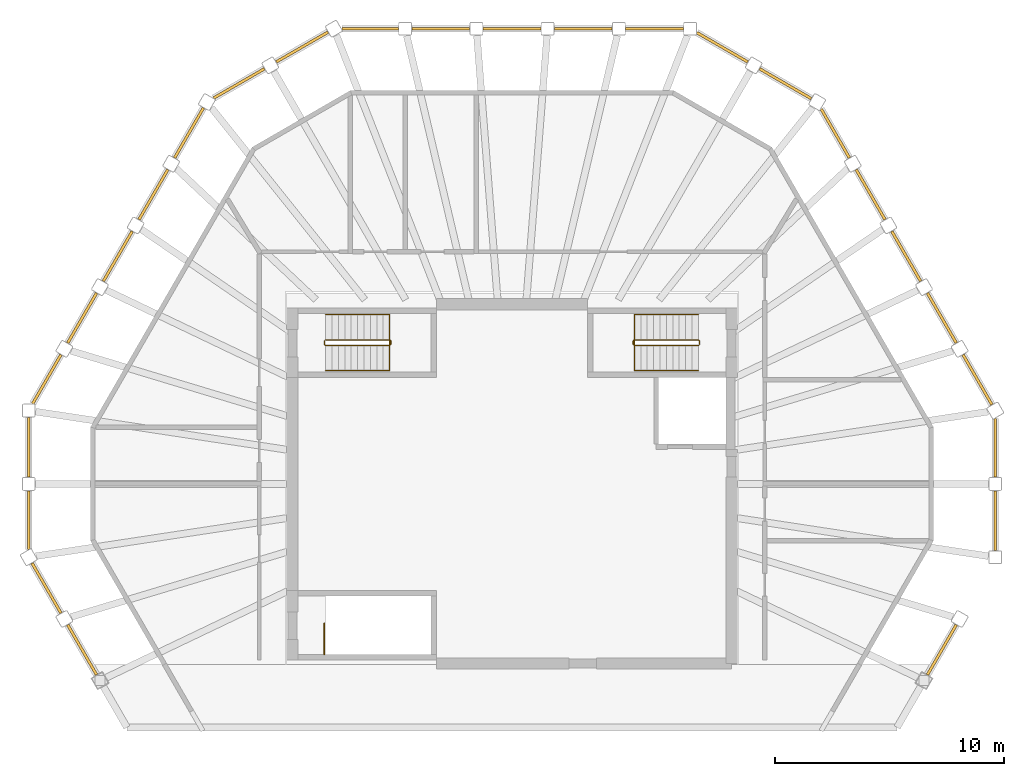
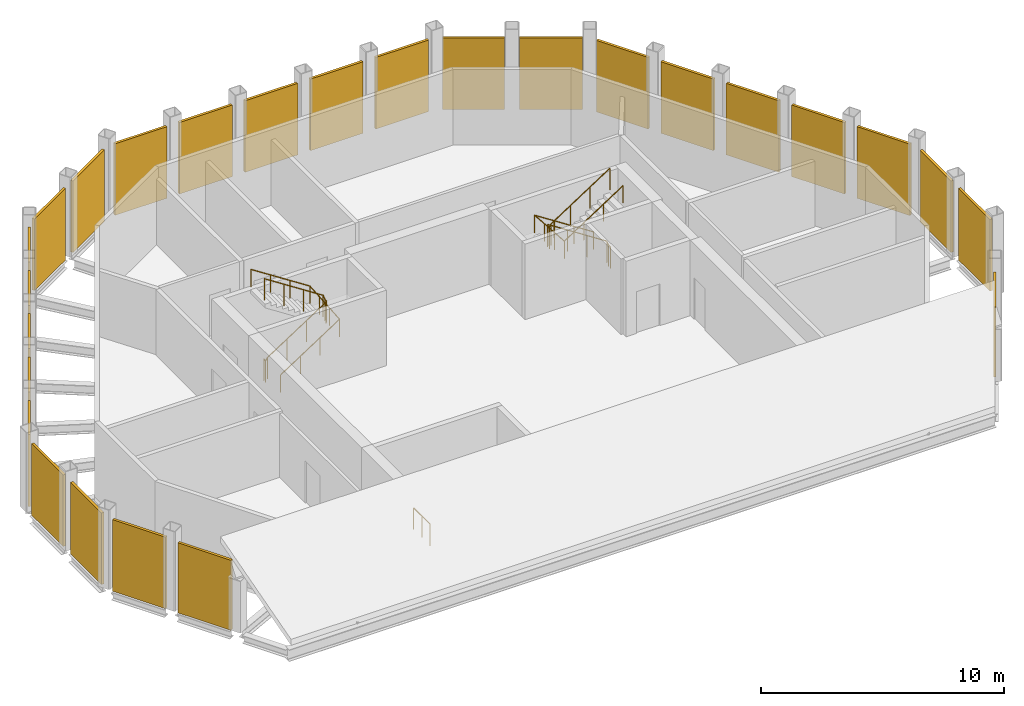
# One storey, part 4 of 4: 26 coverings, 5 railings.
"""IFC4 building model written with IfcOpenShell, lengths in metres."""

import ifcopenshell
import ifcopenshell.guid

model = None  # the IFC model being written
_history = None  # IfcOwnerHistory: only IFC2X3 demands one
_inside = {}  # id of a spatial element -> (the spatial element, [elements in it])
_under = {}  # id of a project, library or spatial element -> (it, [spatial elements below it])
_declared = {}  # id of a project -> (the project, [libraries it declares])
_typed = {}  # id of a type object -> (the type object, [elements of that type])
_made_of = {}  # id of a material, layer set ... -> (it, [elements and type objects made of it])


def new_model(schema):
    """Start an empty IFC model of exactly this schema.

    Asked for "IFC4X3", IfcOpenShell would pick the latest addendum, in which some entities
    have other attributes; the version numbers below select the first issue.
    IFC2X3 requires an IfcOwnerHistory on every rooted entity: one is made here for all.
    """
    global model, _history
    if schema == "IFC4X3":
        model = ifcopenshell.file(schema_version=(4, 3, 0, 0))
    else:
        model = ifcopenshell.file(schema=schema)
    _inside.clear()
    _under.clear()
    _declared.clear()
    _typed.clear()
    _made_of.clear()
    _history = None
    if model.schema == "IFC2X3":
        org = make("IfcOrganization", Name="unknown")
        user = make(
            "IfcPersonAndOrganization",
            ThePerson=make("IfcPerson", FamilyName="unknown"),
            TheOrganization=org,
        )
        app = make(
            "IfcApplication",
            ApplicationDeveloper=org,
            Version="unknown",
            ApplicationFullName="unknown",
            ApplicationIdentifier="unknown",
        )
        _history = make(
            "IfcOwnerHistory",
            OwningUser=user,
            OwningApplication=app,
            ChangeAction="ADDED",
            CreationDate=0,
        )
    return model


def make(cls, **values):
    """One entity of the class cls with the attributes given. An attribute that is None is left unset."""
    return model.create_entity(
        cls, **{name: value for name, value in values.items() if value is not None}
    )


def rooted(cls, **values):
    """An entity with a GlobalId (a new one), such as an element, a storey or a relation."""
    return make(cls, GlobalId=ifcopenshell.guid.new(), OwnerHistory=_history, **values)


def si_unit(unit_type, name, prefix=None):
    """IfcSIUnit, for example si_unit("LENGTHUNIT", "METRE", prefix="MILLI")."""
    return make("IfcSIUnit", UnitType=unit_type, Prefix=prefix, Name=name)


def assignment(units):
    """IfcUnitAssignment: the units of a project."""
    return None if units is None else make("IfcUnitAssignment", Units=units)


def point(xyz):
    """IfcCartesianPoint."""
    return None if xyz is None else make("IfcCartesianPoint", Coordinates=xyz)


def direction(xyz):
    """IfcDirection."""
    return None if xyz is None else make("IfcDirection", DirectionRatios=xyz)


def frame(location, z_axis=None, x_axis=None):
    """IfcAxis2Placement3D, a coordinate frame: its origin and axes. An axis left out is left unset."""
    return make(
        "IfcAxis2Placement3D",
        Location=point(location),
        Axis=direction(z_axis),
        RefDirection=direction(x_axis),
    )


def frame_2d(location, x_axis=None):
    """IfcAxis2Placement2D, a coordinate frame in the plane: its origin and x axis."""
    return make(
        "IfcAxis2Placement2D", Location=point(location), RefDirection=direction(x_axis)
    )


def origin():
    """The frame at (0, 0, 0) with its axes left unset."""
    return frame((0.0, 0.0, 0.0))


def origin_2d():
    """The frame at (0, 0) in the plane with its x axis left unset."""
    return frame_2d((0.0, 0.0))


def place(relative_to, where):
    """IfcLocalPlacement: puts the frame where relative to a parent placement (None: the world)."""
    return make(
        "IfcLocalPlacement", PlacementRelTo=relative_to, RelativePlacement=where
    )


def context(
    kind, dimensions, precision=None, world=None, true_north=None, identifier=None
):
    """IfcGeometricRepresentationContext, for example the 3D "Model" context."""
    return make(
        "IfcGeometricRepresentationContext",
        ContextIdentifier=identifier,
        ContextType=kind,
        CoordinateSpaceDimension=dimensions,
        Precision=precision,
        WorldCoordinateSystem=world,
        TrueNorth=true_north,
    )


def subcontext(parent, identifier, kind, view, scale=None):
    """IfcGeometricRepresentationSubContext, for example "Body" below "Model"."""
    return make(
        "IfcGeometricRepresentationSubContext",
        ContextIdentifier=identifier,
        ContextType=kind,
        ParentContext=parent,
        TargetScale=scale,
        TargetView=view,
    )


def project(units=None, contexts=None):
    """IfcProject with its units and contexts."""
    return rooted(
        "IfcProject",
        Name="project",
        RepresentationContexts=contexts,
        UnitsInContext=assignment(units),
    )


def spatial(cls, under=None, at=None, **own):
    """A site, building, storey or space (cls), placed at a placement, below another one or the project."""
    s = rooted(cls, ObjectPlacement=at, **own)
    if under is not None:
        _under.setdefault(under.id(), (under, []))[1].append(s)
    return s


def polyline(points):
    """IfcPolyline through the points."""
    return make("IfcPolyline", Points=[point(p) for p in points])


def profile(cls, at=None, kind="AREA", **sizes):
    """A parametric profile (cls). Its sizes go by their IFC names, for example OverallWidth=200.0."""
    return make(cls, ProfileType=kind, Position=at, **sizes)


def circle(**sizes):
    """IfcCircleProfileDef."""
    return profile("IfcCircleProfileDef", **sizes)


def outline(outer, holes=None, kind="AREA"):
    """IfcArbitraryClosedProfileDef: a profile drawn as a closed curve; with holes, ...WithVoids."""
    if holes is None:
        return make("IfcArbitraryClosedProfileDef", ProfileType=kind, OuterCurve=outer)
    return make(
        "IfcArbitraryProfileDefWithVoids",
        ProfileType=kind,
        OuterCurve=outer,
        InnerCurves=holes,
    )


def extrude(swept, where, along, depth):
    """IfcExtrudedAreaSolid: the profile swept, set in the frame where, extruded along a direction by depth."""
    return make(
        "IfcExtrudedAreaSolid",
        SweptArea=swept,
        Position=where,
        ExtrudedDirection=direction(along),
        Depth=depth,
    )


def shape(context_of_items, identifier, shape_type, items):
    """IfcShapeRepresentation: the items that make up one representation, for example the "Body"."""
    return make(
        "IfcShapeRepresentation",
        ContextOfItems=context_of_items,
        RepresentationIdentifier=identifier,
        RepresentationType=shape_type,
        Items=items,
    )


def material(Name=None, Category=None):
    """IfcMaterial."""
    return make("IfcMaterial", Name=Name, Category=Category)


def layer(
    of_material, thickness, ventilated=None, Name=None, Category=None, Priority=None
):
    """IfcMaterialLayer: one layer of a wall or slab, of a material (None: an air gap)."""
    return make(
        "IfcMaterialLayer",
        Material=of_material,
        LayerThickness=thickness,
        IsVentilated=ventilated,
        Name=Name,
        Category=Category,
        Priority=Priority,
    )


def layer_set(layers, Name=None):
    """IfcMaterialLayerSet."""
    return make("IfcMaterialLayerSet", MaterialLayers=layers, LayerSetName=Name)


def made_of(thing, what):
    """Note that an element or type object is made of a material, layer set ...; save() writes the relation."""
    if what is not None:
        _made_of.setdefault(what.id(), (what, []))[1].append(thing)
    return thing


def type_object(cls, material=None, **own):
    """A type object (cls), such as IfcWallType, which elements share."""
    return made_of(rooted(cls, **own), material)


def element(
    cls,
    number,
    at=None,
    inside=None,
    cuts=None,
    type_object=None,
    material=None,
    context=None,
    identifier="Body",
    shape_type=None,
    held_by="IfcProductDefinitionShape",
    body=None,
    shapes=None,
    **own,
):
    """One element of the class cls, such as IfcWall. Its Tag is "e" and its number.

    at: its placement. inside: the storey or other place that contains it. cuts: it is an
    opening in that element (IfcRelVoidsElement). A single representation is given by context,
    identifier, shape_type and body (its items); several are given by shapes. held_by: the class
    of the entity that holds the representations. save() writes the other relations.
    """
    e = rooted(cls, Tag="e%d" % number, ObjectPlacement=at, **own)
    if body is not None:
        shapes = [shape(context, identifier, shape_type, body)]
    if shapes is not None:
        e.Representation = make(held_by, Representations=shapes)
    if inside is not None:
        _inside.setdefault(inside.id(), (inside, []))[1].append(e)
    if cuts is not None:
        rooted(
            "IfcRelVoidsElement", RelatingBuildingElement=cuts, RelatedOpeningElement=e
        )
    if type_object is not None:
        _typed.setdefault(type_object.id(), (type_object, []))[1].append(e)
    return made_of(e, material)


def aggregate(whole, parts):
    """IfcRelAggregates: a whole, such as a stair, and the parts it consists of."""
    return rooted("IfcRelAggregates", RelatingObject=whole, RelatedObjects=parts)


def save(model, path):
    """Write the relations noted so far, then the file.

    IfcRelAggregates (storeys below a building ...), IfcRelContainedInSpatialStructure (elements
    in a storey), IfcRelDefinesByType, IfcRelAssociatesMaterial and IfcRelDeclares: one each for
    every whole, place, type object, material and project.
    """
    for whole, parts in _under.values():
        aggregate(whole, parts)
    for where, things in _inside.values():
        rooted(
            "IfcRelContainedInSpatialStructure",
            RelatedElements=things,
            RelatingStructure=where,
        )
    for kind, things in _typed.values():
        rooted("IfcRelDefinesByType", RelatedObjects=things, RelatingType=kind)
    for what, things in _made_of.values():
        rooted("IfcRelAssociatesMaterial", RelatedObjects=things, RelatingMaterial=what)
    for by, libraries in _declared.values():
        rooted("IfcRelDeclares", RelatingContext=by, RelatedDefinitions=libraries)
    model.write(path)


model = new_model("IFC4")

# Units and contexts
model_context = context("Model", 3, precision=1e-05, world=origin(), true_north=direction((0.0, 1.0)))
body_context = subcontext(model_context, "Body", "Model", "MODEL_VIEW")
ifc_project = project(units=[si_unit("LENGTHUNIT", "METRE"), si_unit("AREAUNIT", "SQUARE_METRE"), si_unit("VOLUMEUNIT", "CUBIC_METRE"), si_unit("PLANEANGLEUNIT", "RADIAN"), si_unit("MASSUNIT", "GRAM", prefix="KILO")], contexts=[model_context])

# Site, building, storey
site_placement = place(None, origin())
site = spatial("IfcSite", under=ifc_project, at=site_placement, CompositionType="ELEMENT")
building_placement = place(site_placement, origin())
building = spatial("IfcBuilding", under=site, at=building_placement, Name="Frailejon Research Tower", CompositionType="ELEMENT")
storey_placement = place(building_placement, frame((0.0, 0.0, 356.60009765625)))
storey = spatial("IfcBuildingStorey", under=building, at=storey_placement, Name="L80", CompositionType="ELEMENT", Elevation=356.60009765625)

# Coverings
ifc_material_1 = material(Name="Anodised aluminium louvres", Category="aluminium")
ifc_layer = layer(ifc_material_1, 0.1201171875)
ifc_layer_set = layer_set([ifc_layer], Name="Crown louvre screen 120")
covering_type = type_object("IfcCoveringType", Name="Crown louvre screen 120", PredefinedType="CLADDING", material=ifc_layer_set)
covering_1_placement = place(storey_placement, frame((21.12744140625, -0.300048828125, -0.2001953125), z_axis=(0.0, -1.0, 0.0), x_axis=(1.0, 0.0, 0.0)))
element("IfcCovering", 1, at=covering_1_placement, inside=storey, type_object=covering_type, Name="Crown louvre screen L80", PredefinedType="CLADDING", context=body_context, shape_type="SweptSolid", body=[
    extrude(outline(polyline([(-0.06005859375, 0.0), (0.06005859375, 0.0), (0.06005859375, 3.60009765625), (-0.06005859375, 3.60009765625), (-0.06005859375, 0.0)])), origin(), (0.0, 0.0, 1.0), 2.606201171875),
])
covering_2_placement = place(storey_placement, frame((21.12744140625, 2.859619140625, -0.2001953125), z_axis=(0.0, -1.0, 0.0), x_axis=(1.0, 0.0, 0.0)))
element("IfcCovering", 2, at=covering_2_placement, inside=storey, type_object=covering_type, Name="Crown louvre screen L80", PredefinedType="CLADDING", context=body_context, shape_type="SweptSolid", body=[
    extrude(outline(polyline([(-0.06005859375, 0.0), (0.06005859375, 0.0), (0.06005859375, 3.60009765625), (-0.06005859375, 3.60009765625), (-0.06005859375, 0.0)])), origin(), (0.0, 0.0, 1.0), 2.559814453125),
])
for number, where, z_axis, x_axis, name in (
    (3, (19.72021484375, 5.643798828125, -0.2001953125), (0.499996674019, -0.866027324032, 0.0), (0.866027324032, 0.499996674019, 0.0), "Crown louvre screen L80"),
    (4, (18.16259765625, 8.34130859375, -0.2001953125), (0.500009278777, -0.866020046614, 0.0), (0.866020046614, 0.500009278777, 0.0), "Crown louvre screen L80"),
    (5, (16.605224609375, 11.0390625, -0.2001953125), (0.499979456235, -0.866037264408, 0.0), (0.866037264408, 0.499979456235, 0.0), "Crown louvre screen L80"),
    (6, (15.047607421875, 13.736572265625, -0.2001953125), (0.500009278777, -0.866020046614, 0.0), (0.866020046614, 0.500009278777, 0.0), "Crown louvre screen L80"),
):
    element("IfcCovering", number, at=place(storey_placement, frame(where, z_axis=z_axis, x_axis=x_axis)), inside=storey, type_object=covering_type, Name=name, PredefinedType="CLADDING", context=body_context, shape_type="SweptSolid", body=[
        extrude(outline(polyline([(-0.06005859375, 0.0), (0.06005859375, 0.0), (0.06005859375, 3.60009765625), (-0.06005859375, 3.60009765625), (-0.06005859375, 0.0)])), origin(), (0.0, 0.0, 1.0), 2.514892578125),
    ])
covering_3_placement = place(storey_placement, frame((13.513427734375, 16.393798828125, -0.2001953125), z_axis=(0.499999492034, -0.866025697059, 0.0), x_axis=(0.866025697059, 0.499999492034, 0.0)))
element("IfcCovering", 7, at=covering_3_placement, inside=storey, type_object=covering_type, Name="Crown louvre screen L80", PredefinedType="CLADDING", context=body_context, shape_type="SweptSolid", body=[
    extrude(outline(polyline([(-0.06005859375, 0.0), (0.06005859375, 0.0), (0.06005859375, 3.60009765625), (-0.06005859375, 3.60009765625), (-0.06005859375, 0.0)])), origin(), (0.0, 0.0, 1.0), 2.468505859375),
])
covering_4_placement = place(storey_placement, frame((10.823486328125, 18.14697265625, -0.2001953125), z_axis=(0.866012414126, -0.500022498073, 0.0), x_axis=(0.500022498073, 0.866012414126, 0.0)))
element("IfcCovering", 8, at=covering_4_placement, inside=storey, type_object=covering_type, Name="Crown louvre screen L80", PredefinedType="CLADDING", context=body_context, shape_type="SweptSolid", body=[
    extrude(outline(polyline([(-0.06005859375, 0.0), (0.06005859375, 0.0), (0.06005859375, 3.60009765625), (-0.06005859375, 3.60009765625), (-0.06005859375, 0.0)])), origin(), (0.0, 0.0, 1.0), 2.606201171875),
])
covering_5_placement = place(storey_placement, frame((8.087158203125, 19.726806640625, -0.2001953125), z_axis=(0.866037258145, -0.499979467084, 0.0), x_axis=(0.499979467084, 0.866037258145, 0.0)))
element("IfcCovering", 9, at=covering_5_placement, inside=storey, type_object=covering_type, Name="Crown louvre screen L80", PredefinedType="CLADDING", context=body_context, shape_type="SweptSolid", body=[
    extrude(outline(polyline([(-0.06005859375, 0.0), (0.06005859375, 0.0), (0.06005859375, 3.60009765625), (-0.06005859375, 3.60009765625), (-0.06005859375, 0.0)])), origin(), (0.0, 0.0, 1.0), 2.559814453125),
])
for number, where, z_axis, x_axis, name in (
    (10, (4.972412109375, 19.89990234375, -0.2001953125), (1.0, 0.0, 0.0), (0.0, 1.0, 0.0), "Crown louvre screen L80"),
    (11, (1.857421875, 19.89990234375, -0.2001953125), (1.0, 0.0, 0.0), (0.0, 1.0, 0.0), "Crown louvre screen L80"),
    (12, (-1.25732421875, 19.89990234375, -0.2001953125), (1.0, 0.0, 0.0), (0.0, 1.0, 0.0), "Crown louvre screen L80"),
    (13, (-4.372314453125, 19.89990234375, -0.2001953125), (1.0, 0.0, 0.0), (0.0, 1.0, 0.0), "Crown louvre screen L80"),
):
    element("IfcCovering", number, at=place(storey_placement, frame(where, z_axis=z_axis, x_axis=x_axis)), inside=storey, type_object=covering_type, Name=name, PredefinedType="CLADDING", context=body_context, shape_type="SweptSolid", body=[
        extrude(outline(polyline([(-0.06005859375, 0.0), (0.06005859375, 0.0), (0.06005859375, 3.60009765625), (-0.06005859375, 3.60009765625), (-0.06005859375, 0.0)])), origin(), (0.0, 0.0, 1.0), 2.514892578125),
    ])
covering_6_placement = place(storey_placement, frame((-7.44091796875, 19.89990234375, -0.2001953125), z_axis=(1.0, 0.0, 0.0), x_axis=(0.0, 1.0, 0.0)))
element("IfcCovering", 14, at=covering_6_placement, inside=storey, type_object=covering_type, Name="Crown louvre screen L80", PredefinedType="CLADDING", context=body_context, shape_type="SweptSolid", body=[
    extrude(outline(polyline([(-0.06005859375, 0.0), (0.06005859375, 0.0), (0.06005859375, 3.60009765625), (-0.06005859375, 3.60009765625), (-0.06005859375, 0.0)])), origin(), (0.0, 0.0, 1.0), 2.468505859375),
])
covering_7_placement = place(storey_placement, frame((-10.303955078125, 18.447021484375, -0.2001953125), z_axis=(0.866038622295, 0.49997710417, 0.0), x_axis=(-0.49997710417, 0.866038622295, 0.0)))
element("IfcCovering", 15, at=covering_7_placement, inside=storey, type_object=covering_type, Name="Crown louvre screen L80", PredefinedType="CLADDING", context=body_context, shape_type="SweptSolid", body=[
    extrude(outline(polyline([(-0.06005859375, 0.0), (0.06005859375, 0.0), (0.06005859375, 3.60009765625), (-0.06005859375, 3.60009765625), (-0.06005859375, 0.0)])), origin(), (0.0, 0.0, 1.0), 2.606201171875),
])
covering_8_placement = place(storey_placement, frame((-13.040283203125, 16.8671875, -0.2001953125), z_axis=(0.866010574459, 0.500025684265, 0.0), x_axis=(-0.500025684265, 0.866010574459, 0.0)))
element("IfcCovering", 16, at=covering_8_placement, inside=storey, type_object=covering_type, Name="Crown louvre screen L80", PredefinedType="CLADDING", context=body_context, shape_type="SweptSolid", body=[
    extrude(outline(polyline([(-0.06005859375, 0.0), (0.06005859375, 0.0), (0.06005859375, 3.60009765625), (-0.06005859375, 3.60009765625), (-0.06005859375, 0.0)])), origin(), (0.0, 0.0, 1.0), 2.559814453125),
])
for number, where, z_axis, x_axis, name in (
    (17, (-14.747802734375, 14.256103515625, -0.2001953125), (0.499996674019, 0.866027324032, 0.0), (-0.866027324032, 0.499996674019, 0.0), "Crown louvre screen L80"),
    (18, (-16.30517578125, 11.55859375, -0.2001953125), (0.500009278777, 0.866020046614, 0.0), (-0.866020046614, 0.500009278777, 0.0), "Crown louvre screen L80"),
    (19, (-17.862548828125, 8.861083984375, -0.2001953125), (0.499979456235, 0.866037264408, 0.0), (-0.866037264408, 0.499979456235, 0.0), "Crown louvre screen L80"),
    (20, (-19.420166015625, 6.163330078125, -0.2001953125), (0.500009278777, 0.866020046614, 0.0), (-0.866020046614, 0.500009278777, 0.0), "Crown louvre screen L80"),
):
    element("IfcCovering", number, at=place(storey_placement, frame(where, z_axis=z_axis, x_axis=x_axis)), inside=storey, type_object=covering_type, Name=name, PredefinedType="CLADDING", context=body_context, shape_type="SweptSolid", body=[
        extrude(outline(polyline([(-0.06005859375, 0.0), (0.06005859375, 0.0), (0.06005859375, 3.60009765625), (-0.06005859375, 3.60009765625), (-0.06005859375, 0.0)])), origin(), (0.0, 0.0, 1.0), 2.514892578125),
    ])
covering_9_placement = place(storey_placement, frame((-20.954345703125, 3.506103515625, -0.2001953125), z_axis=(0.499999492034, 0.866025697059, 0.0), x_axis=(-0.866025697059, 0.499999492034, 0.0)))
element("IfcCovering", 21, at=covering_9_placement, inside=storey, type_object=covering_type, Name="Crown louvre screen L80", PredefinedType="CLADDING", context=body_context, shape_type="SweptSolid", body=[
    extrude(outline(polyline([(-0.06005859375, 0.0), (0.06005859375, 0.0), (0.06005859375, 3.60009765625), (-0.06005859375, 3.60009765625), (-0.06005859375, 0.0)])), origin(), (0.0, 0.0, 1.0), 2.468505859375),
])
covering_10_placement = place(storey_placement, frame((-21.12744140625, 0.300048828125, -0.2001953125), z_axis=(0.0, 1.0, 0.0), x_axis=(-1.0, 0.0, 0.0)))
element("IfcCovering", 22, at=covering_10_placement, inside=storey, type_object=covering_type, Name="Crown louvre screen L80", PredefinedType="CLADDING", context=body_context, shape_type="SweptSolid", body=[
    extrude(outline(polyline([(-0.06005859375, 0.0), (0.06005859375, 0.0), (0.06005859375, 3.60009765625), (-0.06005859375, 3.60009765625), (-0.06005859375, 0.0)])), origin(), (0.0, 0.0, 1.0), 2.606201171875),
])
covering_11_placement = place(storey_placement, frame((-21.12744140625, -2.859619140625, -0.2001953125), z_axis=(0.0, 1.0, 0.0), x_axis=(-1.0, 0.0, 0.0)))
element("IfcCovering", 23, at=covering_11_placement, inside=storey, type_object=covering_type, Name="Crown louvre screen L80", PredefinedType="CLADDING", context=body_context, shape_type="SweptSolid", body=[
    extrude(outline(polyline([(-0.06005859375, 0.0), (0.06005859375, 0.0), (0.06005859375, 3.60009765625), (-0.06005859375, 3.60009765625), (-0.06005859375, 0.0)])), origin(), (0.0, 0.0, 1.0), 2.559814453125),
])
covering_12_placement = place(storey_placement, frame((-19.72021484375, -5.643798828125, -0.2001953125), z_axis=(-0.499996674019, 0.866027324032, 0.0), x_axis=(-0.866027324032, -0.499996674019, 0.0)))
element("IfcCovering", 24, at=covering_12_placement, inside=storey, type_object=covering_type, Name="Crown louvre screen L80", PredefinedType="CLADDING", context=body_context, shape_type="SweptSolid", body=[
    extrude(outline(polyline([(-0.06005859375, 0.0), (0.06005859375, 0.0), (0.06005859375, 3.60009765625), (-0.06005859375, 3.60009765625), (-0.06005859375, 0.0)])), origin(), (0.0, 0.0, 1.0), 2.514892578125),
])
for number, where, z_axis, x_axis, name in (
    (25, (-18.16259765625, -8.34130859375, -0.2001953125), (-0.500009278777, 0.866020046614, 0.0), (-0.866020046614, -0.500009278777, 0.0), "Crown louvre screen L80"),
    (26, (19.420166015625, -6.163330078125, -0.2001953125), (-0.500009278777, -0.866020046614, 0.0), (0.866020046614, -0.500009278777, 0.0), "Crown louvre screen L80"),
):
    element("IfcCovering", number, at=place(storey_placement, frame(where, z_axis=z_axis, x_axis=x_axis)), inside=storey, type_object=covering_type, Name=name, PredefinedType="CLADDING", context=body_context, shape_type="SweptSolid", body=[
        extrude(outline(polyline([(-0.06005859375, 0.0), (0.06005859375, 0.0), (0.06005859375, 3.52392578125), (-0.06005859375, 3.52392578125), (-0.06005859375, 0.0)])), origin(), (0.0, 0.0, 1.0), 2.514892578125),
    ])

# Railings
ifc_material_2 = material(Name="Stainless steel", Category="steel")
railing_type_1 = type_object("IfcRailingType", Name="Stair guard 1100", PredefinedType="GUARDRAIL", material=ifc_material_2)
railing_1_placement = place(storey_placement, frame((-8.199951171875, 6.25, 0.0)))
element("IfcRailing", 27, at=railing_1_placement, inside=storey, type_object=railing_type_1, Name="L80 ST1 stair guard 1", PredefinedType="GUARDRAIL", context=body_context, shape_type="SweptSolid", body=[
    extrude(circle(Radius=0.02392578125, at=origin_2d()), frame((0.0, 0.0, 1.076171875), z_axis=(0.0, -1.0, 0.0), x_axis=(1.0, 0.0, 0.0)), (0.0, 0.0, 1.0), 0.14990234375),
    extrude(circle(Radius=0.02392578125, at=origin_2d()), frame((0.0, -0.14990234375, 1.076171875), z_axis=(0.256734642926, -0.256734642926, 0.931758899203), x_axis=(0.707106781187, 0.707106781187, 0.0)), (0.0, 0.0, 1.0), 0.19482421875),
    extrude(circle(Radius=0.02392578125, at=origin_2d()), frame((0.050048828125, -0.199951171875, 1.2578125), z_axis=(0.838650734948, 0.0, 0.544669573936), x_axis=(0.0, 1.0, 0.0)), (0.0, 0.0, 1.0), 3.33837890625),
    extrude(circle(Radius=0.02392578125, at=origin_2d()), frame((2.849853515625, -0.199951171875, 3.076171875), z_axis=(0.707106781187, 0.707106781187, 0.0), x_axis=(-0.707106781187, 0.707106781187, 0.0)), (0.0, 0.0, 1.0), 0.07080078125),
    extrude(circle(Radius=0.02392578125, at=origin_2d()), frame((2.89990234375, -0.14990234375, 3.076171875), z_axis=(0.0, 1.0, 0.0), x_axis=(-1.0, 0.0, 0.0)), (0.0, 0.0, 1.0), 0.14990234375),
    extrude(circle(Radius=0.02392578125, at=origin_2d()), frame((2.89990234375, 0.0, 3.076171875), z_axis=(-0.256734642926, 0.256734642926, 0.931758899203), x_axis=(-0.707106781187, -0.707106781187, 0.0)), (0.0, 0.0, 1.0), 0.19482421875),
    extrude(circle(Radius=0.02392578125, at=origin_2d()), frame((2.849853515625, 0.050048828125, 3.2578125), z_axis=(-0.838650734948, 0.0, 0.544669573936), x_axis=(0.0, -1.0, 0.0)), (0.0, 0.0, 1.0), 3.33837890625),
    extrude(circle(Radius=0.02099609375, at=origin_2d()), origin(), (0.0, 0.0, 1.0), 1.052001953125),
    extrude(circle(Radius=0.02099609375, at=origin_2d()), frame((0.0, -0.14990234375, 0.0)), (0.0, 0.0, 1.0), 1.052001953125),
    extrude(circle(Radius=0.02099609375, at=origin_2d()), frame((0.050048828125, -0.199951171875, 0.181640625)), (0.0, 0.0, 1.0), 1.052001953125),
    extrude(circle(Radius=0.02099609375, at=origin_2d()), frame((0.9833984375, -0.199951171875, 0.787841796875)), (0.0, 0.0, 1.0), 1.052001953125),
    extrude(circle(Radius=0.02099609375, at=origin_2d()), frame((1.91650390625, -0.199951171875, 1.393798828125)), (0.0, 0.0, 1.0), 1.052001953125),
    extrude(circle(Radius=0.02099609375, at=origin_2d()), frame((2.849853515625, -0.199951171875, 2.0)), (0.0, 0.0, 1.0), 1.052001953125),
    extrude(circle(Radius=0.02099609375, at=origin_2d()), frame((2.89990234375, -0.14990234375, 2.0)), (0.0, 0.0, 1.0), 1.052001953125),
    extrude(circle(Radius=0.02099609375, at=origin_2d()), frame((2.89990234375, 0.0, 2.0)), (0.0, 0.0, 1.0), 1.052001953125),
    extrude(circle(Radius=0.02099609375, at=origin_2d()), frame((2.849853515625, 0.050048828125, 2.181640625)), (0.0, 0.0, 1.0), 1.052001953125),
    extrude(circle(Radius=0.02099609375, at=origin_2d()), frame((1.91650390625, 0.050048828125, 2.787841796875)), (0.0, 0.0, 1.0), 1.052001953125),
    extrude(circle(Radius=0.02099609375, at=origin_2d()), frame((0.9833984375, 0.050048828125, 3.393798828125)), (0.0, 0.0, 1.0), 1.052001953125),
    extrude(circle(Radius=0.02099609375, at=origin_2d()), frame((0.050048828125, 0.050048828125, 4.0)), (0.0, 0.0, 1.0), 1.052001953125),
])
railing_2_placement = place(storey_placement, frame((-8.199951171875, -7.449951171875, 0.0)))
element("IfcRailing", 28, at=railing_2_placement, inside=storey, type_object=railing_type_1, Name="L80 ST2 top well guard 1", PredefinedType="GUARDRAIL", context=body_context, shape_type="SweptSolid", body=[
    extrude(circle(Radius=0.02392578125, at=origin_2d()), frame((0.0, 0.0, 1.076171875), z_axis=(0.0, 1.0, 0.0), x_axis=(-1.0, 0.0, 0.0)), (0.0, 0.0, 1.0), 1.349853515625),
    extrude(circle(Radius=0.02099609375, at=origin_2d()), origin(), (0.0, 0.0, 1.0), 1.052001953125),
    extrude(circle(Radius=0.02099609375, at=origin_2d()), frame((0.0, 0.6748046875, 0.0)), (0.0, 0.0, 1.0), 1.052001953125),
    extrude(circle(Radius=0.02099609375, at=origin_2d()), frame((0.0, 1.349853515625, 0.0)), (0.0, 0.0, 1.0), 1.052001953125),
])
railing_3_placement = place(storey_placement, frame((8.199951171875, 6.10009765625, 0.0)))
element("IfcRailing", 29, at=railing_3_placement, inside=storey, type_object=railing_type_1, Name="L80 ST3 stair guard 1", PredefinedType="GUARDRAIL", context=body_context, shape_type="SweptSolid", body=[
    extrude(circle(Radius=0.02392578125, at=origin_2d()), frame((0.0, 0.0, 1.076171875), z_axis=(0.0, 1.0, 0.0), x_axis=(-1.0, 0.0, 0.0)), (0.0, 0.0, 1.0), 0.14990234375),
    extrude(circle(Radius=0.02392578125, at=origin_2d()), frame((0.0, 0.14990234375, 1.076171875), z_axis=(-0.256734642926, 0.256734642926, 0.931758899203), x_axis=(-0.707106781187, -0.707106781187, 0.0)), (0.0, 0.0, 1.0), 0.19482421875),
    extrude(circle(Radius=0.02392578125, at=origin_2d()), frame((-0.050048828125, 0.199951171875, 1.2578125), z_axis=(-0.838650734948, 0.0, 0.544669573936), x_axis=(0.0, -1.0, 0.0)), (0.0, 0.0, 1.0), 3.33837890625),
    extrude(circle(Radius=0.02392578125, at=origin_2d()), frame((-2.849853515625, 0.199951171875, 3.076171875), z_axis=(-0.707106781187, -0.707106781187, 0.0), x_axis=(0.707106781187, -0.707106781187, 0.0)), (0.0, 0.0, 1.0), 0.07080078125),
    extrude(circle(Radius=0.02392578125, at=origin_2d()), frame((-2.89990234375, 0.14990234375, 3.076171875), z_axis=(0.0, -1.0, 0.0), x_axis=(1.0, 0.0, 0.0)), (0.0, 0.0, 1.0), 0.14990234375),
    extrude(circle(Radius=0.02392578125, at=origin_2d()), frame((-2.89990234375, 0.0, 3.076171875), z_axis=(0.256734642926, -0.256734642926, 0.931758899203), x_axis=(0.707106781187, 0.707106781187, 0.0)), (0.0, 0.0, 1.0), 0.19482421875),
    extrude(circle(Radius=0.02392578125, at=origin_2d()), frame((-2.849853515625, -0.050048828125, 3.2578125), z_axis=(0.838650734948, 0.0, 0.544669573936), x_axis=(0.0, 1.0, 0.0)), (0.0, 0.0, 1.0), 3.33837890625),
    extrude(circle(Radius=0.02099609375, at=origin_2d()), origin(), (0.0, 0.0, 1.0), 1.052001953125),
    extrude(circle(Radius=0.02099609375, at=origin_2d()), frame((0.0, 0.14990234375, 0.0)), (0.0, 0.0, 1.0), 1.052001953125),
    extrude(circle(Radius=0.02099609375, at=origin_2d()), frame((-0.050048828125, 0.199951171875, 0.181640625)), (0.0, 0.0, 1.0), 1.052001953125),
    extrude(circle(Radius=0.02099609375, at=origin_2d()), frame((-0.9833984375, 0.199951171875, 0.787841796875)), (0.0, 0.0, 1.0), 1.052001953125),
    extrude(circle(Radius=0.02099609375, at=origin_2d()), frame((-1.91650390625, 0.199951171875, 1.393798828125)), (0.0, 0.0, 1.0), 1.052001953125),
    extrude(circle(Radius=0.02099609375, at=origin_2d()), frame((-2.849853515625, 0.199951171875, 2.0)), (0.0, 0.0, 1.0), 1.052001953125),
    extrude(circle(Radius=0.02099609375, at=origin_2d()), frame((-2.89990234375, 0.14990234375, 2.0)), (0.0, 0.0, 1.0), 1.052001953125),
    extrude(circle(Radius=0.02099609375, at=origin_2d()), frame((-2.89990234375, 0.0, 2.0)), (0.0, 0.0, 1.0), 1.052001953125),
    extrude(circle(Radius=0.02099609375, at=origin_2d()), frame((-2.849853515625, -0.050048828125, 2.181640625)), (0.0, 0.0, 1.0), 1.052001953125),
    extrude(circle(Radius=0.02099609375, at=origin_2d()), frame((-1.91650390625, -0.050048828125, 2.787841796875)), (0.0, 0.0, 1.0), 1.052001953125),
    extrude(circle(Radius=0.02099609375, at=origin_2d()), frame((-0.9833984375, -0.050048828125, 3.393798828125)), (0.0, 0.0, 1.0), 1.052001953125),
    extrude(circle(Radius=0.02099609375, at=origin_2d()), frame((-0.050048828125, -0.050048828125, 4.0)), (0.0, 0.0, 1.0), 1.052001953125),
])
ifc_material_3 = material(Name="Stainless steel", Category="steel")
railing_type_2 = type_object("IfcRailingType", Name="Stair handrail 900", PredefinedType="HANDRAIL", material=ifc_material_3)
railing_4_placement = place(storey_placement, frame((-8.14990234375, 4.949951171875, 0.181640625)))
element("IfcRailing", 30, at=railing_4_placement, inside=storey, type_object=railing_type_2, Name="L80 ST1 stair handrail 1", PredefinedType="HANDRAIL", context=body_context, shape_type="SweptSolid", body=[
    extrude(circle(Radius=0.02392578125, at=origin_2d()), frame((0.0, 0.0, 0.8759765625), z_axis=(0.838650734948, 0.0, 0.544669573936), x_axis=(0.0, 1.0, 0.0)), (0.0, 0.0, 1.0), 3.33837890625),
    extrude(circle(Radius=0.02392578125, at=origin_2d()), frame((2.7998046875, 0.0, 2.6943359375), z_axis=(0.0, 0.997262871482, 0.073937576122), x_axis=(-1.0, 0.0, 0.0)), (0.0, 0.0, 1.0), 2.456787109375),
    extrude(circle(Radius=0.02392578125, at=origin_2d()), frame((2.7998046875, 2.449951171875, 2.8759765625), z_axis=(-0.838650734948, 0.0, 0.544669573936), x_axis=(0.0, -1.0, 0.0)), (0.0, 0.0, 1.0), 3.33837890625),
    extrude(circle(Radius=0.02099609375, at=origin_2d()), origin(), (0.0, 0.0, 1.0), 0.851806640625),
    extrude(circle(Radius=0.02099609375, at=origin_2d()), frame((0.933349609375, 0.0, 0.606201171875)), (0.0, 0.0, 1.0), 0.851806640625),
    extrude(circle(Radius=0.02099609375, at=origin_2d()), frame((1.866455078125, 0.0, 1.212158203125)), (0.0, 0.0, 1.0), 0.851806640625),
    extrude(circle(Radius=0.02099609375, at=origin_2d()), frame((2.7998046875, 0.0, 1.818359375)), (0.0, 0.0, 1.0), 0.851806640625),
    extrude(circle(Radius=0.02099609375, at=origin_2d()), frame((2.7998046875, 0.816650390625, 1.87890625)), (0.0, 0.0, 1.0), 0.851806640625),
    extrude(circle(Radius=0.02099609375, at=origin_2d()), frame((2.7998046875, 1.63330078125, 1.939453125)), (0.0, 0.0, 1.0), 0.851806640625),
    extrude(circle(Radius=0.02099609375, at=origin_2d()), frame((2.7998046875, 2.449951171875, 2.0)), (0.0, 0.0, 1.0), 0.851806640625),
    extrude(circle(Radius=0.02099609375, at=origin_2d()), frame((1.866455078125, 2.449951171875, 2.606201171875)), (0.0, 0.0, 1.0), 0.851806640625),
    extrude(circle(Radius=0.02099609375, at=origin_2d()), frame((0.933349609375, 2.449951171875, 3.212158203125)), (0.0, 0.0, 1.0), 0.851806640625),
    extrude(circle(Radius=0.02099609375, at=origin_2d()), frame((0.0, 2.449951171875, 3.818359375)), (0.0, 0.0, 1.0), 0.851806640625),
])
railing_5_placement = place(storey_placement, frame((8.14990234375, 7.39990234375, 0.181640625)))
element("IfcRailing", 31, at=railing_5_placement, inside=storey, type_object=railing_type_2, Name="L80 ST3 stair handrail 1", PredefinedType="HANDRAIL", context=body_context, shape_type="SweptSolid", body=[
    extrude(circle(Radius=0.02392578125, at=origin_2d()), frame((0.0, 0.0, 0.8759765625), z_axis=(-0.838650734948, 0.0, 0.544669573936), x_axis=(0.0, -1.0, 0.0)), (0.0, 0.0, 1.0), 3.33837890625),
    extrude(circle(Radius=0.02392578125, at=origin_2d()), frame((-2.7998046875, 0.0, 2.6943359375), z_axis=(0.0, -0.997262871482, 0.073937576122), x_axis=(1.0, 0.0, 0.0)), (0.0, 0.0, 1.0), 2.456787109375),
    extrude(circle(Radius=0.02392578125, at=origin_2d()), frame((-2.7998046875, -2.449951171875, 2.8759765625), z_axis=(0.838650734948, 0.0, 0.544669573936), x_axis=(0.0, 1.0, 0.0)), (0.0, 0.0, 1.0), 3.33837890625),
    extrude(circle(Radius=0.02099609375, at=origin_2d()), origin(), (0.0, 0.0, 1.0), 0.851806640625),
    extrude(circle(Radius=0.02099609375, at=origin_2d()), frame((-0.933349609375, 0.0, 0.606201171875)), (0.0, 0.0, 1.0), 0.851806640625),
    extrude(circle(Radius=0.02099609375, at=origin_2d()), frame((-1.866455078125, 0.0, 1.212158203125)), (0.0, 0.0, 1.0), 0.851806640625),
    extrude(circle(Radius=0.02099609375, at=origin_2d()), frame((-2.7998046875, 0.0, 1.818359375)), (0.0, 0.0, 1.0), 0.851806640625),
    extrude(circle(Radius=0.02099609375, at=origin_2d()), frame((-2.7998046875, -0.816650390625, 1.87890625)), (0.0, 0.0, 1.0), 0.851806640625),
    extrude(circle(Radius=0.02099609375, at=origin_2d()), frame((-2.7998046875, -1.63330078125, 1.939453125)), (0.0, 0.0, 1.0), 0.851806640625),
    extrude(circle(Radius=0.02099609375, at=origin_2d()), frame((-2.7998046875, -2.449951171875, 2.0)), (0.0, 0.0, 1.0), 0.851806640625),
    extrude(circle(Radius=0.02099609375, at=origin_2d()), frame((-1.866455078125, -2.449951171875, 2.606201171875)), (0.0, 0.0, 1.0), 0.851806640625),
    extrude(circle(Radius=0.02099609375, at=origin_2d()), frame((-0.933349609375, -2.449951171875, 3.212158203125)), (0.0, 0.0, 1.0), 0.851806640625),
    extrude(circle(Radius=0.02099609375, at=origin_2d()), frame((0.0, -2.449951171875, 3.818359375)), (0.0, 0.0, 1.0), 0.851806640625),
])

save(model, "model.ifc")
